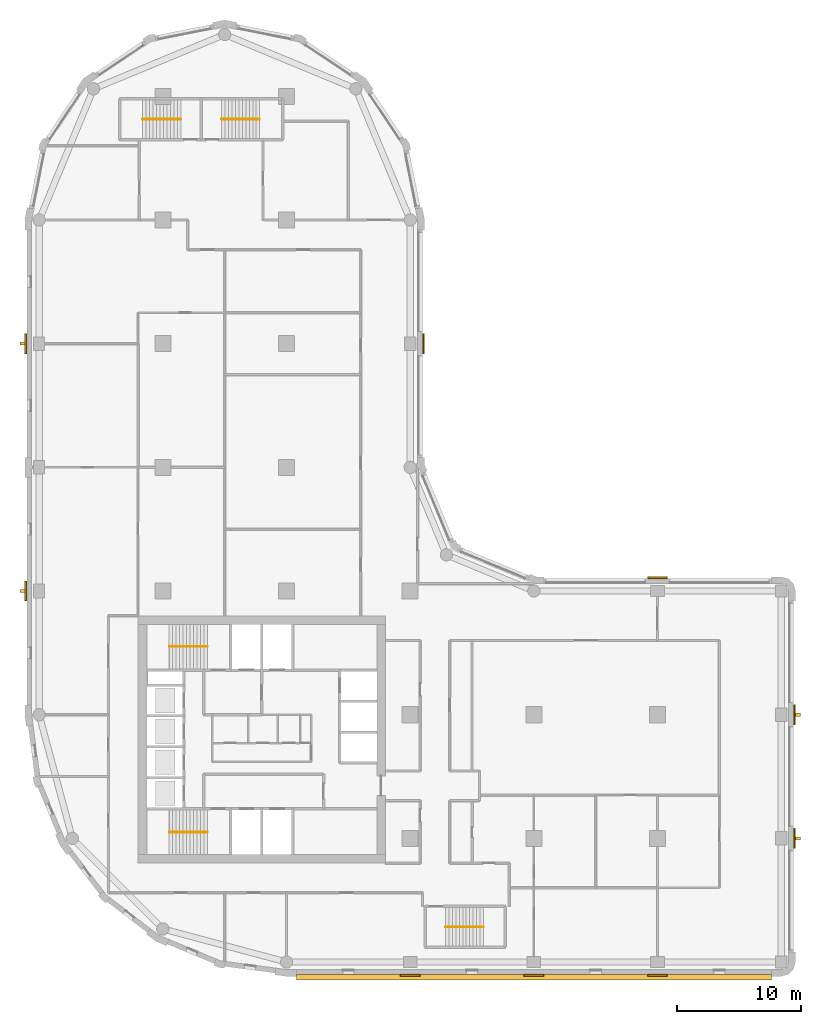
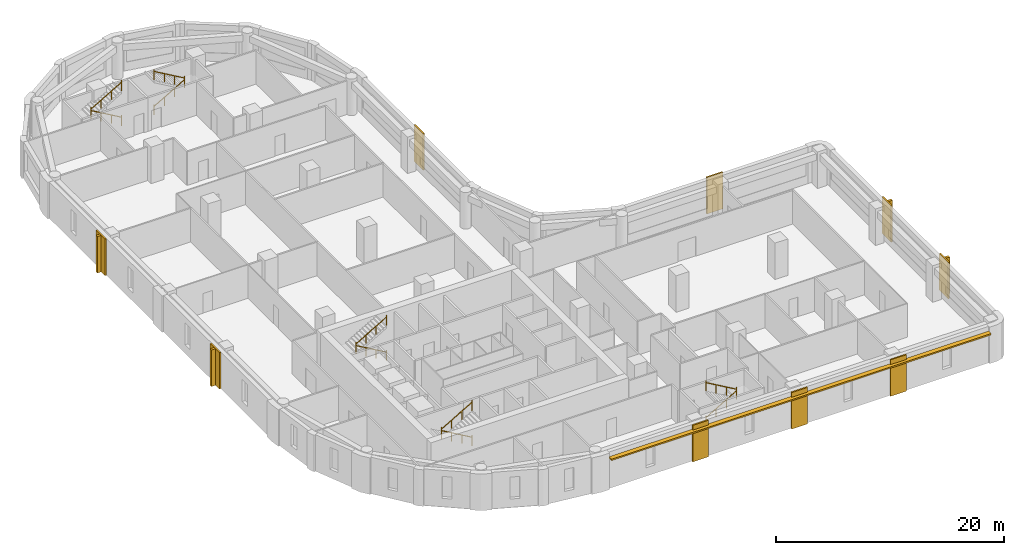
# One storey, part 9 of 10: 10 railings, 9 coverings, 5 shading devices.
"""IFC4 building model written with IfcOpenShell, lengths in metres."""

from ifc_helpers import new_model, si_unit, direction, frame, origin, origin_2d, place, context, subcontext, project, spatial, polyline, rectangle, circle, outline, extrude, material, layer, layer_set, type_object, element, save


model = new_model("IFC4")

# Units and contexts
model_context = context("Model", 3, precision=1e-05, world=origin(), true_north=direction((0.0, 1.0)))
body_context = subcontext(model_context, "Body", "Model", "MODEL_VIEW")
ifc_project = project(units=[si_unit("LENGTHUNIT", "METRE"), si_unit("AREAUNIT", "SQUARE_METRE"), si_unit("VOLUMEUNIT", "CUBIC_METRE"), si_unit("PLANEANGLEUNIT", "RADIAN"), si_unit("MASSUNIT", "GRAM", prefix="KILO")], contexts=[model_context])

# Site, building, storey
site_placement = place(None, origin())
site = spatial("IfcSite", under=ifc_project, at=site_placement, CompositionType="ELEMENT")
building_placement = place(site_placement, origin())
building = spatial("IfcBuilding", under=site, at=building_placement, Name="Qaws Garden Tower", CompositionType="ELEMENT")
storey_placement = place(building_placement, frame((0.0, 0.0, 201.89990234375)))
storey = spatial("IfcBuildingStorey", under=building, at=storey_placement, Name="L49", CompositionType="ELEMENT", Elevation=201.89990234375)

# Coverings
ifc_material_1 = material(Name="Clay facing brick masonry", Category="masonry")
ifc_layer_1 = layer(ifc_material_1, 0.14990234375)
ifc_layer_set_1 = layer_set([ifc_layer_1], Name="Clay facing brick masonry")
covering_type = type_object("IfcCoveringType", Name="Brick pilaster facing 150 x 1600", PredefinedType="CLADDING", material=ifc_layer_set_1)
placement = place(storey_placement, origin())
element("IfcCovering", 1, at=placement, inside=storey, type_object=covering_type, Name="E-L49-pier-01", PredefinedType="CLADDING", context=body_context, shape_type="SweptSolid", body=[
    extrude(outline(polyline([(29.199951171875, -1.0), (30.800048828125, -1.0), (30.800048828125, -1.14990234375), (29.199951171875, -1.14990234375), (29.199951171875, -1.0)])), origin(), (0.0, 0.0, 1.0), 3.900146484375),
])
element("IfcCovering", 2, at=placement, inside=storey, type_object=covering_type, Name="E-L49-pier-02", PredefinedType="CLADDING", context=body_context, shape_type="SweptSolid", body=[
    extrude(outline(polyline([(39.199951171875, -1.0), (40.800048828125, -1.0), (40.800048828125, -1.14990234375), (39.199951171875, -1.14990234375), (39.199951171875, -1.0)])), origin(), (0.0, 0.0, 1.0), 3.900146484375),
])
element("IfcCovering", 3, at=placement, inside=storey, type_object=covering_type, Name="E-L49-pier-03", PredefinedType="CLADDING", context=body_context, shape_type="SweptSolid", body=[
    extrude(outline(polyline([(49.199951171875, -1.0), (50.800048828125, -1.0), (50.800048828125, -1.14990234375), (49.199951171875, -1.14990234375), (49.199951171875, -1.0)])), origin(), (0.0, 0.0, 1.0), 3.900146484375),
])
element("IfcCovering", 4, at=placement, inside=storey, type_object=covering_type, Name="E-L49-pier-05", PredefinedType="CLADDING", context=body_context, shape_type="SweptSolid", body=[
    extrude(outline(polyline([(61.0, 9.199951171875), (61.0, 10.800048828125), (61.14990234375, 10.800048828125), (61.14990234375, 9.199951171875), (61.0, 9.199951171875)])), origin(), (0.0, 0.0, 1.0), 3.900146484375),
])
element("IfcCovering", 5, at=placement, inside=storey, type_object=covering_type, Name="E-L49-pier-06", PredefinedType="CLADDING", context=body_context, shape_type="SweptSolid", body=[
    extrude(outline(polyline([(61.0, 19.199951171875), (61.0, 20.800048828125), (61.14990234375, 20.800048828125), (61.14990234375, 19.199951171875), (61.0, 19.199951171875)])), origin(), (0.0, 0.0, 1.0), 3.900146484375),
])
element("IfcCovering", 6, at=placement, inside=storey, type_object=covering_type, Name="E-L49-pier-08", PredefinedType="CLADDING", context=body_context, shape_type="SweptSolid", body=[
    extrude(outline(polyline([(50.800048828125, 31.0), (49.199951171875, 31.0), (49.199951171875, 31.14990234375), (50.800048828125, 31.14990234375), (50.800048828125, 31.0)])), origin(), (0.0, 0.0, 1.0), 3.900146484375),
])
element("IfcCovering", 7, at=placement, inside=storey, type_object=covering_type, Name="E-L49-pier-12", PredefinedType="CLADDING", context=body_context, shape_type="SweptSolid", body=[
    extrude(outline(polyline([(31.0, 49.199951171875), (31.0, 50.800048828125), (31.14990234375, 50.800048828125), (31.14990234375, 49.199951171875), (31.0, 49.199951171875)])), origin(), (0.0, 0.0, 1.0), 3.900146484375),
])
element("IfcCovering", 8, at=placement, inside=storey, type_object=covering_type, Name="E-L49-pier-22", PredefinedType="CLADDING", context=body_context, shape_type="SweptSolid", body=[
    extrude(outline(polyline([(-1.0, 50.800048828125), (-1.0, 49.199951171875), (-1.14990234375, 49.199951171875), (-1.14990234375, 50.800048828125), (-1.0, 50.800048828125)])), origin(), (0.0, 0.0, 1.0), 3.900146484375),
])
element("IfcCovering", 9, at=placement, inside=storey, type_object=covering_type, Name="E-L49-pier-24", PredefinedType="CLADDING", context=body_context, shape_type="SweptSolid", body=[
    extrude(outline(polyline([(-1.0, 30.800048828125), (-1.0, 29.199951171875), (-1.14990234375, 29.199951171875), (-1.14990234375, 30.800048828125), (-1.0, 30.800048828125)])), origin(), (0.0, 0.0, 1.0), 3.900146484375),
])

# Shading devices
ifc_material_2 = material(Name="Clay facing brick masonry", Category="masonry")
ifc_layer_2 = layer(ifc_material_2, 0.14990234375)
ifc_layer_set_2 = layer_set([ifc_layer_2], Name="Clay facing brick masonry")
shading_device_type_1 = type_object("IfcShadingDeviceType", Name="Brick sunshade band 450 x 150", PredefinedType="JALOUSIE", material=ifc_layer_set_2)
shading_device_placement = place(storey_placement, frame((0.0, 0.0, 3.25)))
element("IfcShadingDevice", 10, at=shading_device_placement, inside=storey, type_object=shading_device_type_1, Name="SUNSHADE 00", PredefinedType="JALOUSIE", context=body_context, shape_type="SweptSolid", body=[
    extrude(outline(polyline([(20.800048828125, -1.0), (20.800048828125, -1.449951171875), (59.199951171875, -1.449951171875), (59.199951171875, -1.0), (50.800048828125, -1.0), (50.800048828125, -1.14990234375), (49.199951171875, -1.14990234375), (49.199951171875, -1.0), (40.800048828125, -1.0), (40.800048828125, -1.14990234375), (39.199951171875, -1.14990234375), (39.199951171875, -1.0), (30.800048828125, -1.0), (30.800048828125, -1.14990234375), (29.199951171875, -1.14990234375), (29.199951171875, -1.0), (20.800048828125, -1.0)])), origin(), (0.0, 0.0, 1.0), 0.150146484375),
])
ifc_material_3 = material(Name="Clay facing brick masonry", Category="masonry")
ifc_layer_3 = layer(ifc_material_3, 0.25)
ifc_layer_set_3 = layer_set([ifc_layer_3], Name="Clay facing brick masonry")
shading_device_type_2 = type_object("IfcShadingDeviceType", Name="Brick-faced fin 250 x 400", PredefinedType="USERDEFINED", material=ifc_layer_set_3)
for number, where, z_axis, x_axis, name in (
    (11, (61.35009765625, 10.0, 0.000244140625), (0.0, 0.0, 1.0), (0.0, 1.0, 0.0), "FIN 05"),
    (12, (61.35009765625, 20.0, 0.000244140625), (0.0, 0.0, 1.0), (0.0, 1.0, 0.0), "FIN 06"),
    (13, (-1.35009765625, 50.0, 0.000244140625), (0.0, 0.0, 1.0), (0.0, -1.0, 0.0), "FIN 22"),
    (14, (-1.35009765625, 30.0, 0.000244140625), (0.0, 0.0, 1.0), (0.0, -1.0, 0.0), "FIN 24"),
):
    element("IfcShadingDevice", number, at=place(storey_placement, frame(where, z_axis=z_axis, x_axis=x_axis)), inside=storey, type_object=shading_device_type_2, Name=name, ObjectType="FIN", PredefinedType="USERDEFINED", context=body_context, shape_type="SweptSolid", body=[
        extrude(rectangle(XDim=0.25, YDim=0.39990234375, at=origin_2d()), origin(), (0.0, 0.0, 1.0), 3.89990234375),
    ])

# Railings
ifc_material_4 = material(Name="Steel S355", Category="steel")
railing_type = type_object("IfcRailingType", Name="Stair handrail 900", PredefinedType="HANDRAIL", material=ifc_material_4)
railing_1_placement = place(storey_placement, frame((13.60009765625, 10.5, 0.16259765625)))
element("IfcRailing", 15, at=railing_1_placement, inside=storey, type_object=railing_type, Name="Stair 1 handrail", PredefinedType="HANDRAIL", context=body_context, shape_type="SweptSolid", body=[
    extrude(circle(Radius=0.02392578125, at=origin_2d()), frame((0.0, 0.0, 0.8759765625), z_axis=(-0.864890721111, 0.0, 0.501960198159), x_axis=(0.0, -1.0, 0.0)), (0.0, 0.0, 1.0), 3.561279296875),
    extrude(circle(Radius=0.02099609375, at=origin_2d()), origin(), (0.0, 0.0, 1.0), 1.06201171875),
    extrude(circle(Radius=0.02099609375, at=origin_2d()), frame((-1.026611328125, 0.0, 0.595947265625)), (0.0, 0.0, 1.0), 0.851806640625),
    extrude(circle(Radius=0.02099609375, at=origin_2d()), frame((-2.053466796875, 0.0, 1.191650390625)), (0.0, 0.0, 1.0), 0.851806640625),
    extrude(circle(Radius=0.02099609375, at=origin_2d()), frame((-3.080078125, 0.0, 1.78759765625)), (0.0, 0.0, 1.0), 1.06201171875),
])
railing_2_placement = place(storey_placement, frame((10.52001953125, 10.5, 2.112548828125)))
element("IfcRailing", 16, at=railing_2_placement, inside=storey, type_object=railing_type, Name="Stair 1 handrail", PredefinedType="HANDRAIL", context=body_context, shape_type="SweptSolid", body=[
    extrude(circle(Radius=0.02392578125, at=origin_2d()), frame((0.0, 0.0, 0.8759765625), z_axis=(0.864890721111, 0.0, 0.501960198159), x_axis=(0.0, 1.0, 0.0)), (0.0, 0.0, 1.0), 3.561279296875),
    extrude(circle(Radius=0.02099609375, at=origin_2d()), origin(), (0.0, 0.0, 1.0), 1.06201171875),
    extrude(circle(Radius=0.02099609375, at=origin_2d()), frame((1.026611328125, 0.0, 0.595947265625)), (0.0, 0.0, 1.0), 0.851806640625),
    extrude(circle(Radius=0.02099609375, at=origin_2d()), frame((2.053466796875, 0.0, 1.191650390625)), (0.0, 0.0, 1.0), 0.851806640625),
    extrude(circle(Radius=0.02099609375, at=origin_2d()), frame((3.080078125, 0.0, 1.78759765625)), (0.0, 0.0, 1.0), 1.06201171875),
])
railing_3_placement = place(storey_placement, frame((13.60009765625, 25.5, 0.16259765625)))
element("IfcRailing", 17, at=railing_3_placement, inside=storey, type_object=railing_type, Name="Stair 4 handrail", PredefinedType="HANDRAIL", context=body_context, shape_type="SweptSolid", body=[
    extrude(circle(Radius=0.02392578125, at=origin_2d()), frame((0.0, 0.0, 0.8759765625), z_axis=(-0.864890721111, 0.0, 0.501960198159), x_axis=(0.0, -1.0, 0.0)), (0.0, 0.0, 1.0), 3.561279296875),
    extrude(circle(Radius=0.02099609375, at=origin_2d()), origin(), (0.0, 0.0, 1.0), 1.06201171875),
    extrude(circle(Radius=0.02099609375, at=origin_2d()), frame((-1.026611328125, 0.0, 0.595947265625)), (0.0, 0.0, 1.0), 0.851806640625),
    extrude(circle(Radius=0.02099609375, at=origin_2d()), frame((-2.053466796875, 0.0, 1.191650390625)), (0.0, 0.0, 1.0), 0.851806640625),
    extrude(circle(Radius=0.02099609375, at=origin_2d()), frame((-3.080078125, 0.0, 1.78759765625)), (0.0, 0.0, 1.0), 1.06201171875),
])
railing_4_placement = place(storey_placement, frame((10.52001953125, 25.5, 2.112548828125)))
element("IfcRailing", 18, at=railing_4_placement, inside=storey, type_object=railing_type, Name="Stair 4 handrail", PredefinedType="HANDRAIL", context=body_context, shape_type="SweptSolid", body=[
    extrude(circle(Radius=0.02392578125, at=origin_2d()), frame((0.0, 0.0, 0.8759765625), z_axis=(0.864890721111, 0.0, 0.501960198159), x_axis=(0.0, 1.0, 0.0)), (0.0, 0.0, 1.0), 3.561279296875),
    extrude(circle(Radius=0.02099609375, at=origin_2d()), origin(), (0.0, 0.0, 1.0), 1.06201171875),
    extrude(circle(Radius=0.02099609375, at=origin_2d()), frame((1.026611328125, 0.0, 0.595947265625)), (0.0, 0.0, 1.0), 0.851806640625),
    extrude(circle(Radius=0.02099609375, at=origin_2d()), frame((2.053466796875, 0.0, 1.191650390625)), (0.0, 0.0, 1.0), 0.851806640625),
    extrude(circle(Radius=0.02099609375, at=origin_2d()), frame((3.080078125, 0.0, 1.78759765625)), (0.0, 0.0, 1.0), 1.06201171875),
])
railing_5_placement = place(storey_placement, frame((32.85009765625, 2.85009765625, 0.16259765625)))
element("IfcRailing", 19, at=railing_5_placement, inside=storey, type_object=railing_type, Name="Stair 5 handrail", PredefinedType="HANDRAIL", context=body_context, shape_type="SweptSolid", body=[
    extrude(circle(Radius=0.02392578125, at=origin_2d()), frame((0.0, 0.0, 0.8759765625), z_axis=(0.864873446163, 0.0, 0.501989962173), x_axis=(0.0, 1.0, 0.0)), (0.0, 0.0, 1.0), 3.56103515625),
    extrude(circle(Radius=0.02099609375, at=origin_2d()), origin(), (0.0, 0.0, 1.0), 1.06201171875),
    extrude(circle(Radius=0.02099609375, at=origin_2d()), frame((1.026611328125, 0.0, 0.595947265625)), (0.0, 0.0, 1.0), 0.851806640625),
    extrude(circle(Radius=0.02099609375, at=origin_2d()), frame((2.05322265625, 0.0, 1.191650390625)), (0.0, 0.0, 1.0), 0.851806640625),
    extrude(circle(Radius=0.02099609375, at=origin_2d()), frame((3.079833984375, 0.0, 1.78759765625)), (0.0, 0.0, 1.0), 1.06201171875),
])
for number, where, name in (
    (20, (35.929931640625, 2.85009765625, 2.112548828125), "Stair 5 handrail"),
    (21, (11.449951171875, 68.14990234375, 0.16259765625), "Stair 6 handrail"),
):
    element("IfcRailing", number, at=place(storey_placement, frame(where)), inside=storey, type_object=railing_type, Name=name, PredefinedType="HANDRAIL", context=body_context, shape_type="SweptSolid", body=[
        extrude(circle(Radius=0.02392578125, at=origin_2d()), frame((0.0, 0.0, 0.8759765625), z_axis=(-0.864873446163, 0.0, 0.501989962173), x_axis=(0.0, -1.0, 0.0)), (0.0, 0.0, 1.0), 3.56103515625),
        extrude(circle(Radius=0.02099609375, at=origin_2d()), origin(), (0.0, 0.0, 1.0), 1.06201171875),
        extrude(circle(Radius=0.02099609375, at=origin_2d()), frame((-1.026611328125, 0.0, 0.595947265625)), (0.0, 0.0, 1.0), 0.851806640625),
        extrude(circle(Radius=0.02099609375, at=origin_2d()), frame((-2.05322265625, 0.0, 1.191650390625)), (0.0, 0.0, 1.0), 0.851806640625),
        extrude(circle(Radius=0.02099609375, at=origin_2d()), frame((-3.079833984375, 0.0, 1.78759765625)), (0.0, 0.0, 1.0), 1.06201171875),
    ])
railing_6_placement = place(storey_placement, frame((8.3701171875, 68.14990234375, 2.112548828125)))
element("IfcRailing", 22, at=railing_6_placement, inside=storey, type_object=railing_type, Name="Stair 6 handrail", PredefinedType="HANDRAIL", context=body_context, shape_type="SweptSolid", body=[
    extrude(circle(Radius=0.02392578125, at=origin_2d()), frame((0.0, 0.0, 0.8759765625), z_axis=(0.864873446163, 0.0, 0.501989962173), x_axis=(0.0, 1.0, 0.0)), (0.0, 0.0, 1.0), 3.56103515625),
    extrude(circle(Radius=0.02099609375, at=origin_2d()), origin(), (0.0, 0.0, 1.0), 1.06201171875),
    extrude(circle(Radius=0.02099609375, at=origin_2d()), frame((1.026611328125, 0.0, 0.595947265625)), (0.0, 0.0, 1.0), 0.851806640625),
    extrude(circle(Radius=0.02099609375, at=origin_2d()), frame((2.05322265625, 0.0, 1.191650390625)), (0.0, 0.0, 1.0), 0.851806640625),
    extrude(circle(Radius=0.02099609375, at=origin_2d()), frame((3.079833984375, 0.0, 1.78759765625)), (0.0, 0.0, 1.0), 1.06201171875),
])
railing_7_placement = place(storey_placement, frame((14.75, 68.14990234375, 0.16259765625)))
element("IfcRailing", 23, at=railing_7_placement, inside=storey, type_object=railing_type, Name="Stair 7 handrail", PredefinedType="HANDRAIL", context=body_context, shape_type="SweptSolid", body=[
    extrude(circle(Radius=0.02392578125, at=origin_2d()), frame((0.0, 0.0, 0.8759765625), z_axis=(0.864890721111, 0.0, 0.501960198159), x_axis=(0.0, 1.0, 0.0)), (0.0, 0.0, 1.0), 3.561279296875),
    extrude(circle(Radius=0.02099609375, at=origin_2d()), origin(), (0.0, 0.0, 1.0), 1.06201171875),
    extrude(circle(Radius=0.02099609375, at=origin_2d()), frame((1.026611328125, 0.0, 0.595947265625)), (0.0, 0.0, 1.0), 0.851806640625),
    extrude(circle(Radius=0.02099609375, at=origin_2d()), frame((2.053466796875, 0.0, 1.191650390625)), (0.0, 0.0, 1.0), 0.851806640625),
    extrude(circle(Radius=0.02099609375, at=origin_2d()), frame((3.080078125, 0.0, 1.78759765625)), (0.0, 0.0, 1.0), 1.06201171875),
])
railing_8_placement = place(storey_placement, frame((17.830078125, 68.14990234375, 2.112548828125)))
element("IfcRailing", 24, at=railing_8_placement, inside=storey, type_object=railing_type, Name="Stair 7 handrail", PredefinedType="HANDRAIL", context=body_context, shape_type="SweptSolid", body=[
    extrude(circle(Radius=0.02392578125, at=origin_2d()), frame((0.0, 0.0, 0.8759765625), z_axis=(-0.864890721111, 0.0, 0.501960198159), x_axis=(0.0, -1.0, 0.0)), (0.0, 0.0, 1.0), 3.561279296875),
    extrude(circle(Radius=0.02099609375, at=origin_2d()), origin(), (0.0, 0.0, 1.0), 1.06201171875),
    extrude(circle(Radius=0.02099609375, at=origin_2d()), frame((-1.026611328125, 0.0, 0.595947265625)), (0.0, 0.0, 1.0), 0.851806640625),
    extrude(circle(Radius=0.02099609375, at=origin_2d()), frame((-2.053466796875, 0.0, 1.191650390625)), (0.0, 0.0, 1.0), 0.851806640625),
    extrude(circle(Radius=0.02099609375, at=origin_2d()), frame((-3.080078125, 0.0, 1.78759765625)), (0.0, 0.0, 1.0), 1.06201171875),
])

save(model, "model.ifc")
